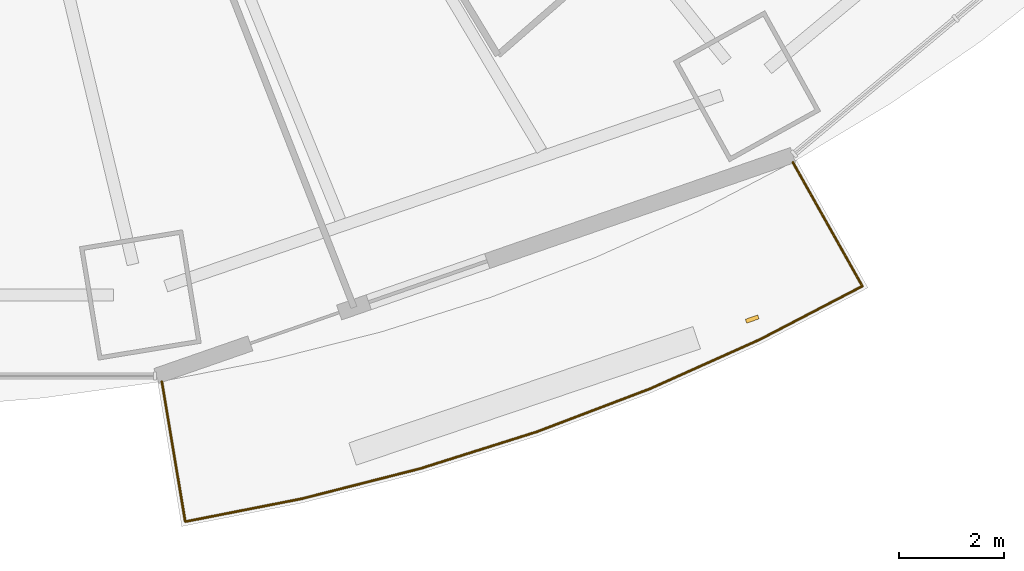
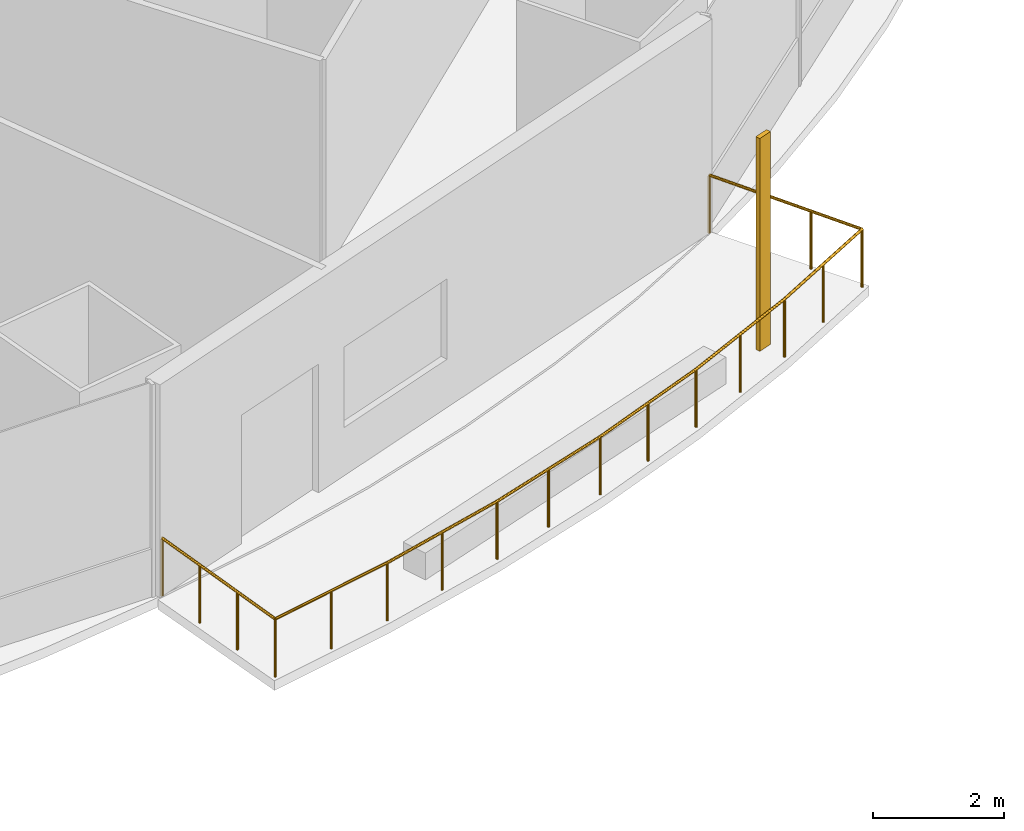
# One storey, part 18 of 21: 1 railing, 1 shading device.
"""IFC4 building model written with IfcOpenShell, lengths in metres."""

from ifc_helpers import new_model, si_unit, direction, frame, origin, origin_2d, place, context, subcontext, project, spatial, rectangle, circle, extrude, material, material_profile, profile_set, type_object, element, save


model = new_model("IFC4")

# Units and contexts
model_context = context("Model", 3, precision=1e-05, world=origin(), true_north=direction((0.0, 1.0)))
body_context = subcontext(model_context, "Body", "Model", "MODEL_VIEW")
ifc_project = project(units=[si_unit("LENGTHUNIT", "METRE"), si_unit("AREAUNIT", "SQUARE_METRE"), si_unit("VOLUMEUNIT", "CUBIC_METRE"), si_unit("PLANEANGLEUNIT", "RADIAN"), si_unit("MASSUNIT", "GRAM", prefix="KILO")], contexts=[model_context])

# Site, building, storey
site_placement = place(None, origin())
site = spatial("IfcSite", under=ifc_project, at=site_placement, CompositionType="ELEMENT")
building_placement = place(site_placement, origin())
building = spatial("IfcBuilding", under=site, at=building_placement, Name="Marenthal Gate Tower", CompositionType="ELEMENT")
storey_placement = place(building_placement, frame((0.0, 0.0, 128.449951171875)))
storey = spatial("IfcBuildingStorey", under=building, at=storey_placement, Name="L27", CompositionType="ELEMENT", Elevation=128.449951171875)

# Railing
ifc_material_1 = material(Name="Stainless steel", Category="steel")
railing_type = type_object("IfcRailingType", Name="Balcony guard 1100", PredefinedType="GUARDRAIL", material=ifc_material_1)
railing_placement = place(storey_placement, frame((18.766357421875, -23.687744140625, 0.0)))
element("IfcRailing", 1, at=railing_placement, inside=storey, type_object=railing_type, Name="Balcony guard L27 bay 13", PredefinedType="GUARDRAIL", context=body_context, shape_type="SweptSolid", body=[
    extrude(circle(Radius=0.02392578125, at=origin_2d()), frame((0.0, 0.0, 1.076171875), z_axis=(0.489197979897, -0.87204857286, -0.014718119373), x_axis=(0.872143041114, 0.489250974283, 0.0)), (0.0, 0.0, 1.0), 2.720458984375),
    extrude(circle(Radius=0.02392578125, at=origin_2d()), frame((1.330810546875, -2.372314453125, 1.0361328125), z_axis=(-0.887124453904, -0.461530284257, 0.0), x_axis=(0.461530284257, -0.887124453904, 0.0)), (0.0, 0.0, 1.0), 2.2080078125),
    extrude(circle(Radius=0.02392578125, at=origin_2d()), frame((-0.6279296875, -3.391357421875, 1.0361328125), z_axis=(-0.912452038961, -0.409183670979, 0.0), x_axis=(0.409183670979, -0.912452038961, 0.0)), (0.0, 0.0, 1.0), 2.30419921875),
    extrude(circle(Radius=0.02392578125, at=origin_2d()), frame((-2.73046875, -4.334228515625, 1.0361328125), z_axis=(-0.934727645052, -0.355364924515, 0.0), x_axis=(0.355364924515, -0.934727645052, 0.0)), (0.0, 0.0, 1.0), 2.3193359375),
    extrude(circle(Radius=0.02392578125, at=origin_2d()), frame((-4.8984375, -5.158447265625, 1.0361328125), z_axis=(-0.953617459754, -0.301021162798, 0.0), x_axis=(0.301021162798, -0.953617459754, 0.0)), (0.0, 0.0, 1.0), 2.33251953125),
    extrude(circle(Radius=0.02392578125, at=origin_2d()), frame((-7.122802734375, -5.860595703125, 1.0361328125), z_axis=(-0.969104417167, -0.246650823286, 0.0), x_axis=(0.246650823286, -0.969104417167, 0.0)), (0.0, 0.0, 1.0), 2.343994140625),
    extrude(circle(Radius=0.02392578125, at=origin_2d()), frame((-9.394287109375, -6.438720703125, 1.0361328125), z_axis=(-0.981203457672, -0.192976098658, 0.0), x_axis=(0.192976098658, -0.981203457672, 0.0)), (0.0, 0.0, 1.0), 2.2734375),
    extrude(circle(Radius=0.02392578125, at=origin_2d()), frame((-11.625, -6.87744140625, 1.0361328125), z_axis=(-0.164774109377, 0.986221507592, 0.014718384498), x_axis=(-0.986328347949, -0.164791959854, 0.0)), (0.0, 0.0, 1.0), 2.720458984375),
    extrude(circle(Radius=0.02099609375, at=origin_2d()), origin(), (0.0, 0.0, 1.0), 1.052001953125),
    extrude(circle(Radius=0.02099609375, at=origin_2d()), frame((0.443603515625, -0.790771484375, -0.013427734375)), (0.0, 0.0, 1.0), 1.052001953125),
    extrude(circle(Radius=0.02099609375, at=origin_2d()), frame((0.88720703125, -1.58154296875, -0.026611328125)), (0.0, 0.0, 1.0), 1.052001953125),
    extrude(circle(Radius=0.02099609375, at=origin_2d()), frame((1.330810546875, -2.372314453125, -0.0400390625)), (0.0, 0.0, 1.0), 1.052001953125),
    extrude(circle(Radius=0.02099609375, at=origin_2d()), frame((0.3515625, -2.8818359375, -0.0400390625)), (0.0, 0.0, 1.0), 1.052001953125),
    extrude(circle(Radius=0.02099609375, at=origin_2d()), frame((-0.6279296875, -3.391357421875, -0.0400390625)), (0.0, 0.0, 1.0), 1.052001953125),
    extrude(circle(Radius=0.02099609375, at=origin_2d()), frame((-1.67919921875, -3.86279296875, -0.0400390625)), (0.0, 0.0, 1.0), 1.052001953125),
    extrude(circle(Radius=0.02099609375, at=origin_2d()), frame((-2.73046875, -4.334228515625, -0.0400390625)), (0.0, 0.0, 1.0), 1.052001953125),
    extrude(circle(Radius=0.02099609375, at=origin_2d()), frame((-3.814453125, -4.746337890625, -0.0400390625)), (0.0, 0.0, 1.0), 1.052001953125),
    extrude(circle(Radius=0.02099609375, at=origin_2d()), frame((-4.8984375, -5.158447265625, -0.0400390625)), (0.0, 0.0, 1.0), 1.052001953125),
    extrude(circle(Radius=0.02099609375, at=origin_2d()), frame((-6.0107421875, -5.509521484375, -0.0400390625)), (0.0, 0.0, 1.0), 1.052001953125),
    extrude(circle(Radius=0.02099609375, at=origin_2d()), frame((-7.122802734375, -5.860595703125, -0.0400390625)), (0.0, 0.0, 1.0), 1.052001953125),
    extrude(circle(Radius=0.02099609375, at=origin_2d()), frame((-8.258544921875, -6.149658203125, -0.0400390625)), (0.0, 0.0, 1.0), 1.052001953125),
    extrude(circle(Radius=0.02099609375, at=origin_2d()), frame((-9.394287109375, -6.438720703125, -0.0400390625)), (0.0, 0.0, 1.0), 1.052001953125),
    extrude(circle(Radius=0.02099609375, at=origin_2d()), frame((-10.509765625, -6.658203125, -0.0400390625)), (0.0, 0.0, 1.0), 1.052001953125),
    extrude(circle(Radius=0.02099609375, at=origin_2d()), frame((-11.625, -6.87744140625, -0.0400390625)), (0.0, 0.0, 1.0), 1.052001953125),
    extrude(circle(Radius=0.02099609375, at=origin_2d()), frame((-11.7744140625, -5.983154296875, -0.026611328125)), (0.0, 0.0, 1.0), 1.052001953125),
    extrude(circle(Radius=0.02099609375, at=origin_2d()), frame((-11.923828125, -5.0888671875, -0.013427734375)), (0.0, 0.0, 1.0), 1.052001953125),
    extrude(circle(Radius=0.02099609375, at=origin_2d()), frame((-12.0732421875, -4.194580078125, 0.0)), (0.0, 0.0, 1.0), 1.052001953125),
])

# Shading device
ifc_material_2 = material(Name="Terracotta", Category="masonry")
ifc_material_profile = material_profile(ifc_material_2, rectangle(XDim=0.25, YDim=0.080078125, at=origin_2d()), Name="Terracotta baguette 250x80")
ifc_profile_set = profile_set([ifc_material_profile], Name="Terracotta")
shading_device_type = type_object("IfcShadingDeviceType", Name="Terracotta BAGUETTE SCREEN 250x80", PredefinedType="USERDEFINED", material=ifc_profile_set)
shading_device_placement = place(storey_placement, frame((17.989501953125, -26.689453125, -0.0400390625), z_axis=(0.0, 0.0, 1.0), x_axis=(0.944576320007, 0.328291906207, 0.0)))
element("IfcShadingDevice", 2, at=shading_device_placement, inside=storey, type_object=shading_device_type, Name="Terracotta BAGUETTE L27 bay 13R", ObjectType="BAGUETTE SCREEN", PredefinedType="USERDEFINED", context=body_context, shape_type="SweptSolid", body=[
    extrude(rectangle(XDim=0.25, YDim=0.080078125, at=origin_2d()), origin(), (0.0, 0.0, 1.0), 3.969970703125),
])

save(model, "model.ifc")
